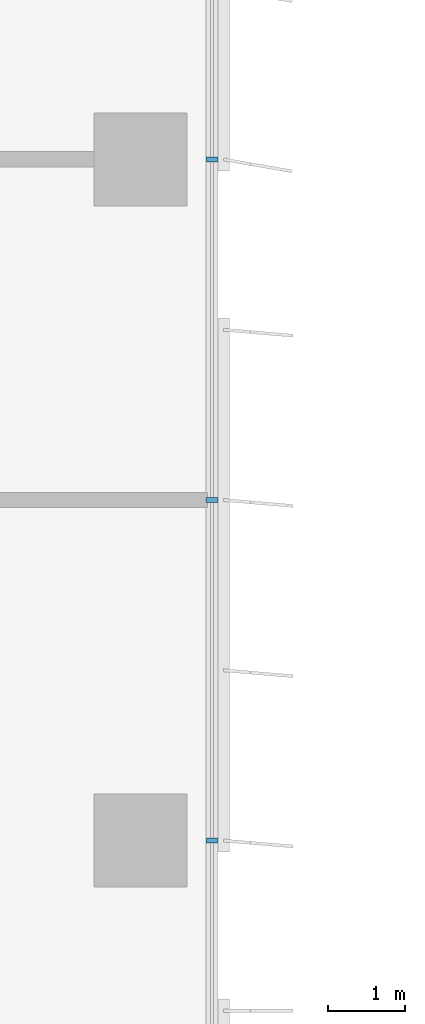
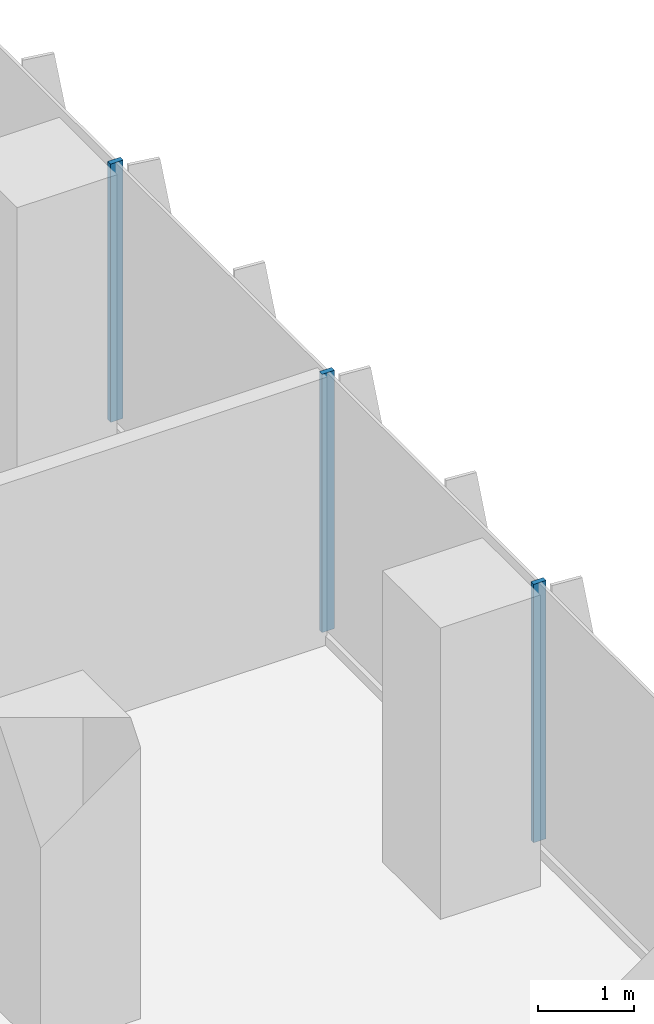
# One storey, part 7 of 22: 3 members, 1 element without a shape of its own.
"""IFC4 building model written with IfcOpenShell, lengths in metres."""

import ifcopenshell
import ifcopenshell.guid

model = None  # the IFC model being written
_history = None  # IfcOwnerHistory: only IFC2X3 demands one
_inside = {}  # id of a spatial element -> (the spatial element, [elements in it])
_under = {}  # id of a project, library or spatial element -> (it, [spatial elements below it])
_declared = {}  # id of a project -> (the project, [libraries it declares])
_typed = {}  # id of a type object -> (the type object, [elements of that type])
_made_of = {}  # id of a material, layer set ... -> (it, [elements and type objects made of it])


def new_model(schema):
    """Start an empty IFC model of exactly this schema.

    Asked for "IFC4X3", IfcOpenShell would pick the latest addendum, in which some entities
    have other attributes; the version numbers below select the first issue.
    IFC2X3 requires an IfcOwnerHistory on every rooted entity: one is made here for all.
    """
    global model, _history
    if schema == "IFC4X3":
        model = ifcopenshell.file(schema_version=(4, 3, 0, 0))
    else:
        model = ifcopenshell.file(schema=schema)
    _inside.clear()
    _under.clear()
    _declared.clear()
    _typed.clear()
    _made_of.clear()
    _history = None
    if model.schema == "IFC2X3":
        org = make("IfcOrganization", Name="unknown")
        user = make(
            "IfcPersonAndOrganization",
            ThePerson=make("IfcPerson", FamilyName="unknown"),
            TheOrganization=org,
        )
        app = make(
            "IfcApplication",
            ApplicationDeveloper=org,
            Version="unknown",
            ApplicationFullName="unknown",
            ApplicationIdentifier="unknown",
        )
        _history = make(
            "IfcOwnerHistory",
            OwningUser=user,
            OwningApplication=app,
            ChangeAction="ADDED",
            CreationDate=0,
        )
    return model


def make(cls, **values):
    """One entity of the class cls with the attributes given. An attribute that is None is left unset."""
    return model.create_entity(
        cls, **{name: value for name, value in values.items() if value is not None}
    )


def rooted(cls, **values):
    """An entity with a GlobalId (a new one), such as an element, a storey or a relation."""
    return make(cls, GlobalId=ifcopenshell.guid.new(), OwnerHistory=_history, **values)


def si_unit(unit_type, name, prefix=None):
    """IfcSIUnit, for example si_unit("LENGTHUNIT", "METRE", prefix="MILLI")."""
    return make("IfcSIUnit", UnitType=unit_type, Prefix=prefix, Name=name)


def assignment(units):
    """IfcUnitAssignment: the units of a project."""
    return None if units is None else make("IfcUnitAssignment", Units=units)


def point(xyz):
    """IfcCartesianPoint."""
    return None if xyz is None else make("IfcCartesianPoint", Coordinates=xyz)


def direction(xyz):
    """IfcDirection."""
    return None if xyz is None else make("IfcDirection", DirectionRatios=xyz)


def frame(location, z_axis=None, x_axis=None):
    """IfcAxis2Placement3D, a coordinate frame: its origin and axes. An axis left out is left unset."""
    return make(
        "IfcAxis2Placement3D",
        Location=point(location),
        Axis=direction(z_axis),
        RefDirection=direction(x_axis),
    )


def frame_2d(location, x_axis=None):
    """IfcAxis2Placement2D, a coordinate frame in the plane: its origin and x axis."""
    return make(
        "IfcAxis2Placement2D", Location=point(location), RefDirection=direction(x_axis)
    )


def origin():
    """The frame at (0, 0, 0) with its axes left unset."""
    return frame((0.0, 0.0, 0.0))


def origin_2d():
    """The frame at (0, 0) in the plane with its x axis left unset."""
    return frame_2d((0.0, 0.0))


def place(relative_to, where):
    """IfcLocalPlacement: puts the frame where relative to a parent placement (None: the world)."""
    return make(
        "IfcLocalPlacement", PlacementRelTo=relative_to, RelativePlacement=where
    )


def context(
    kind, dimensions, precision=None, world=None, true_north=None, identifier=None
):
    """IfcGeometricRepresentationContext, for example the 3D "Model" context."""
    return make(
        "IfcGeometricRepresentationContext",
        ContextIdentifier=identifier,
        ContextType=kind,
        CoordinateSpaceDimension=dimensions,
        Precision=precision,
        WorldCoordinateSystem=world,
        TrueNorth=true_north,
    )


def subcontext(parent, identifier, kind, view, scale=None):
    """IfcGeometricRepresentationSubContext, for example "Body" below "Model"."""
    return make(
        "IfcGeometricRepresentationSubContext",
        ContextIdentifier=identifier,
        ContextType=kind,
        ParentContext=parent,
        TargetScale=scale,
        TargetView=view,
    )


def project(units=None, contexts=None):
    """IfcProject with its units and contexts."""
    return rooted(
        "IfcProject",
        Name="project",
        RepresentationContexts=contexts,
        UnitsInContext=assignment(units),
    )


def spatial(cls, under=None, at=None, **own):
    """A site, building, storey or space (cls), placed at a placement, below another one or the project."""
    s = rooted(cls, ObjectPlacement=at, **own)
    if under is not None:
        _under.setdefault(under.id(), (under, []))[1].append(s)
    return s


def profile(cls, at=None, kind="AREA", **sizes):
    """A parametric profile (cls). Its sizes go by their IFC names, for example OverallWidth=200.0."""
    return make(cls, ProfileType=kind, Position=at, **sizes)


def rectangle(**sizes):
    """IfcRectangleProfileDef."""
    return profile("IfcRectangleProfileDef", **sizes)


def extrude(swept, where, along, depth):
    """IfcExtrudedAreaSolid: the profile swept, set in the frame where, extruded along a direction by depth."""
    return make(
        "IfcExtrudedAreaSolid",
        SweptArea=swept,
        Position=where,
        ExtrudedDirection=direction(along),
        Depth=depth,
    )


def shape(context_of_items, identifier, shape_type, items):
    """IfcShapeRepresentation: the items that make up one representation, for example the "Body"."""
    return make(
        "IfcShapeRepresentation",
        ContextOfItems=context_of_items,
        RepresentationIdentifier=identifier,
        RepresentationType=shape_type,
        Items=items,
    )


def source(mapping_origin, context_of_items, identifier, shape_type, items):
    """IfcRepresentationMap: a shape defined once, which mapped items show again and again."""
    return make(
        "IfcRepresentationMap",
        MappingOrigin=mapping_origin,
        MappedRepresentation=shape(context_of_items, identifier, shape_type, items),
    )


def transform(
    local_origin,
    x_axis=None,
    y_axis=None,
    z_axis=None,
    scale=None,
    scale2=None,
    scale3=None,
    uniform=True,
):
    """IfcCartesianTransformationOperator3D, or its non-uniform kind. x_axis, y_axis, z_axis: its Axis1, 2, 3."""
    if uniform:
        return make(
            "IfcCartesianTransformationOperator3D",
            Axis1=direction(x_axis),
            Axis2=direction(y_axis),
            LocalOrigin=point(local_origin),
            Scale=scale,
            Axis3=direction(z_axis),
        )
    return make(
        "IfcCartesianTransformationOperator3DnonUniform",
        Axis1=direction(x_axis),
        Axis2=direction(y_axis),
        LocalOrigin=point(local_origin),
        Scale=scale,
        Axis3=direction(z_axis),
        Scale2=scale2,
        Scale3=scale3,
    )


def mapped(mapping_source, mapping_target):
    """IfcMappedItem: shows the shape of a source again, moved by a transform."""
    return make(
        "IfcMappedItem", MappingSource=mapping_source, MappingTarget=mapping_target
    )


def material(Name=None, Category=None):
    """IfcMaterial."""
    return make("IfcMaterial", Name=Name, Category=Category)


def material_profile(
    of_material, cross_section, Name=None, Category=None, Priority=None
):
    """IfcMaterialProfile: a cross section and its material."""
    return make(
        "IfcMaterialProfile",
        Name=Name,
        Material=of_material,
        Profile=cross_section,
        Priority=Priority,
        Category=Category,
    )


def profile_set(profiles, Name=None, composite=None):
    """IfcMaterialProfileSet."""
    return make(
        "IfcMaterialProfileSet",
        Name=Name,
        MaterialProfiles=profiles,
        CompositeProfile=composite,
    )


def made_of(thing, what):
    """Note that an element or type object is made of a material, layer set ...; save() writes the relation."""
    if what is not None:
        _made_of.setdefault(what.id(), (what, []))[1].append(thing)
    return thing


def type_object(cls, material=None, **own):
    """A type object (cls), such as IfcWallType, which elements share."""
    return made_of(rooted(cls, **own), material)


def element(
    cls,
    number,
    at=None,
    inside=None,
    cuts=None,
    type_object=None,
    material=None,
    context=None,
    identifier="Body",
    shape_type=None,
    held_by="IfcProductDefinitionShape",
    body=None,
    shapes=None,
    **own,
):
    """One element of the class cls, such as IfcWall. Its Tag is "e" and its number.

    at: its placement. inside: the storey or other place that contains it. cuts: it is an
    opening in that element (IfcRelVoidsElement). A single representation is given by context,
    identifier, shape_type and body (its items); several are given by shapes. held_by: the class
    of the entity that holds the representations. save() writes the other relations.
    """
    e = rooted(cls, Tag="e%d" % number, ObjectPlacement=at, **own)
    if body is not None:
        shapes = [shape(context, identifier, shape_type, body)]
    if shapes is not None:
        e.Representation = make(held_by, Representations=shapes)
    if inside is not None:
        _inside.setdefault(inside.id(), (inside, []))[1].append(e)
    if cuts is not None:
        rooted(
            "IfcRelVoidsElement", RelatingBuildingElement=cuts, RelatedOpeningElement=e
        )
    if type_object is not None:
        _typed.setdefault(type_object.id(), (type_object, []))[1].append(e)
    return made_of(e, material)


def aggregate(whole, parts):
    """IfcRelAggregates: a whole, such as a stair, and the parts it consists of."""
    return rooted("IfcRelAggregates", RelatingObject=whole, RelatedObjects=parts)


def save(model, path):
    """Write the relations noted so far, then the file.

    IfcRelAggregates (storeys below a building ...), IfcRelContainedInSpatialStructure (elements
    in a storey), IfcRelDefinesByType, IfcRelAssociatesMaterial and IfcRelDeclares: one each for
    every whole, place, type object, material and project.
    """
    for whole, parts in _under.values():
        aggregate(whole, parts)
    for where, things in _inside.values():
        rooted(
            "IfcRelContainedInSpatialStructure",
            RelatedElements=things,
            RelatingStructure=where,
        )
    for kind, things in _typed.values():
        rooted("IfcRelDefinesByType", RelatedObjects=things, RelatingType=kind)
    for what, things in _made_of.values():
        rooted("IfcRelAssociatesMaterial", RelatedObjects=things, RelatingMaterial=what)
    for by, libraries in _declared.values():
        rooted("IfcRelDeclares", RelatingContext=by, RelatedDefinitions=libraries)
    model.write(path)


model = new_model("IFC4")

# Units and contexts
model_context = context("Model", 3, precision=1e-05, world=origin(), true_north=direction((0.0, 1.0)))
body_context = subcontext(model_context, "Body", "Model", "MODEL_VIEW")
ifc_project = project(units=[si_unit("LENGTHUNIT", "METRE"), si_unit("AREAUNIT", "SQUARE_METRE"), si_unit("VOLUMEUNIT", "CUBIC_METRE"), si_unit("PLANEANGLEUNIT", "RADIAN"), si_unit("MASSUNIT", "GRAM", prefix="KILO")], contexts=[model_context])

# Site, building, storey
site_placement = place(None, origin())
site = spatial("IfcSite", under=ifc_project, at=site_placement, CompositionType="ELEMENT")
building_placement = place(site_placement, origin())
building = spatial("IfcBuilding", under=site, at=building_placement, Name="Kemantara Hotel Tower", CompositionType="ELEMENT")
storey_placement = place(building_placement, frame((0.0, 0.0, 107.39990234375)))
storey = spatial("IfcBuildingStorey", under=building, at=storey_placement, Name="L25", CompositionType="ELEMENT", Elevation=107.39990234375)

# Curtain wall, members
ifc_material_1 = material(Name="Low-E tinted double insulated glass 36 mm", Category="glass")
curtain_wall_type = type_object("IfcCurtainWallType", Name="TOWER CURTAIN WALL, FRONT FACES", PredefinedType="USERDEFINED", material=ifc_material_1)
curtain_wall_placement = place(storey_placement, origin())
curtain_wall = element("IfcCurtainWall", 1, at=curtain_wall_placement, inside=storey, type_object=curtain_wall_type, Name="CW4 L25 T2-R14-1", ObjectType="TOWER CURTAIN WALL, FRONT FACES", PredefinedType="USERDEFINED")
ifc_material_2 = material(Name="Aluminium 6063-T6 bronze anodised", Category="aluminium")
ifc_material_profile = material_profile(ifc_material_2, rectangle(XDim=0.14990234375, YDim=0.06005859375, at=origin_2d()), Name="TOWER CURTAIN WALL, FRONT FACES MULLION")
ifc_profile_set = profile_set([ifc_material_profile], Name="Aluminium 6063-T6 bronze anodised")
member_type = type_object("IfcMemberType", Name="TOWER CURTAIN WALL, FRONT FACES MULLION", PredefinedType="MULLION", material=ifc_profile_set)
shared_shape = source(origin(), body_context, "Body", "SweptSolid", [
    extrude(rectangle(XDim=0.14990234375, YDim=0.06005859375, at=origin_2d()), origin(), (0.0, 0.0, 1.0), 3.280029296875),
])
member_1_placement = place(storey_placement, frame((26.72509765625, 53.800048828125, 0.1201171875), z_axis=(0.0, 0.0, 1.0), x_axis=(-1.0, 0.0, 0.0)))
member_1 = element("IfcMember", 2, at=member_1_placement, type_object=member_type, Name="CW4 mullion T2-R14-1.9", PredefinedType="MULLION", context=body_context, shape_type="MappedRepresentation", body=[
    mapped(shared_shape, transform((0.0, 0.0, 0.0))),
])
member_2_placement = place(storey_placement, frame((26.72509765625, 58.199951171875, 0.1201171875), z_axis=(0.0, 0.0, 1.0), x_axis=(-1.0, 0.0, 0.0)))
member_2 = element("IfcMember", 3, at=member_2_placement, type_object=member_type, Name="CW4 mullion T2-R14-1.10", PredefinedType="MULLION", context=body_context, shape_type="MappedRepresentation", body=[
    mapped(shared_shape, transform((0.0, 0.0, 0.0))),
])
member_3_placement = place(storey_placement, frame((26.72509765625, 62.60009765625, 0.1201171875), z_axis=(0.0, 0.0, 1.0), x_axis=(-1.0, 0.0, 0.0)))
member_3 = element("IfcMember", 4, at=member_3_placement, type_object=member_type, Name="CW4 mullion T2-R14-1.11", PredefinedType="MULLION", context=body_context, shape_type="MappedRepresentation", body=[
    mapped(shared_shape, transform((0.0, 0.0, 0.0))),
])
aggregate(curtain_wall, [member_1, member_2, member_3])

save(model, "model.ifc")
